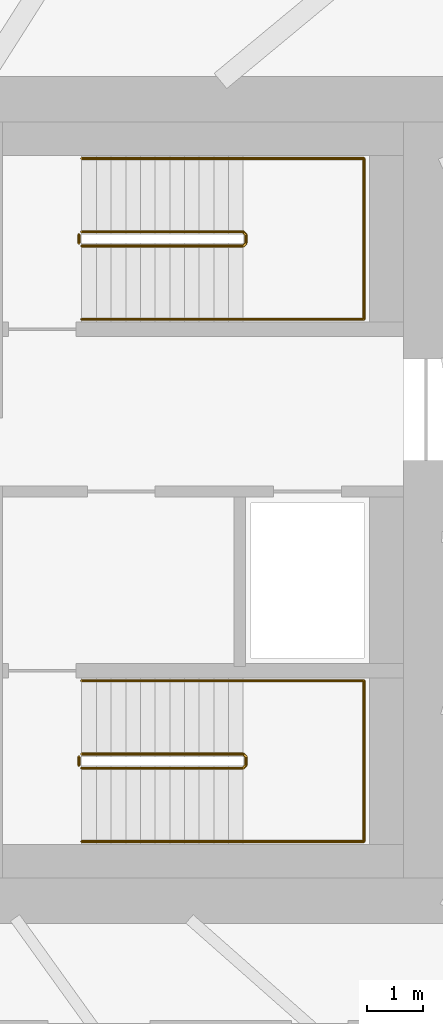
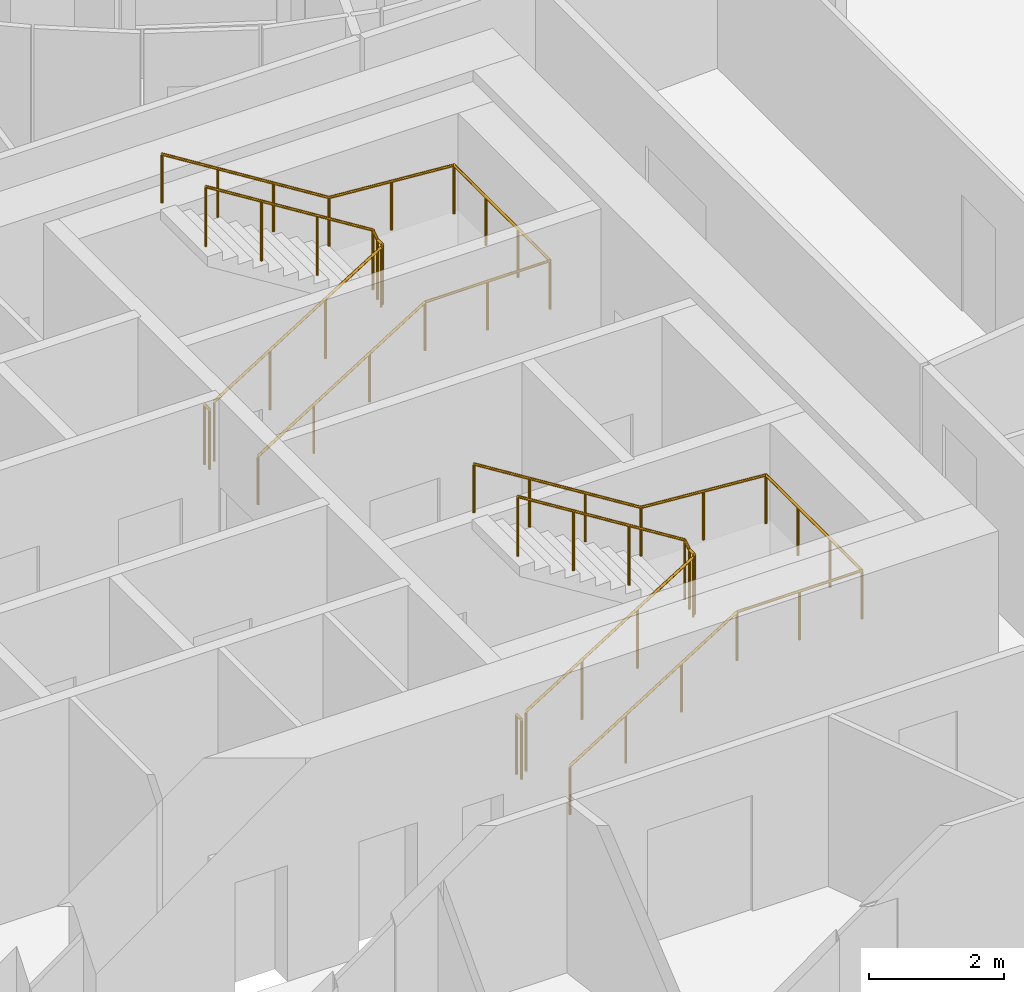
# One storey, part 13 of 13: 6 railings.
"""IFC4 building model written with IfcOpenShell, lengths in metres."""

from ifc_helpers import new_model, si_unit, direction, frame, origin, origin_2d, place, context, subcontext, project, spatial, circle, extrude, material, type_object, element, save


model = new_model("IFC4")

# Units and contexts
model_context = context("Model", 3, precision=1e-05, world=origin(), true_north=direction((0.0, 1.0)))
body_context = subcontext(model_context, "Body", "Model", "MODEL_VIEW")
ifc_project = project(units=[si_unit("LENGTHUNIT", "METRE"), si_unit("AREAUNIT", "SQUARE_METRE"), si_unit("VOLUMEUNIT", "CUBIC_METRE"), si_unit("PLANEANGLEUNIT", "RADIAN"), si_unit("MASSUNIT", "GRAM", prefix="KILO")], contexts=[model_context])

# Site, building, storey
site_placement = place(None, origin())
site = spatial("IfcSite", under=ifc_project, at=site_placement, CompositionType="ELEMENT")
building_placement = place(site_placement, origin())
building = spatial("IfcBuilding", under=site, at=building_placement, Name="Rubra Terraces Tower", CompositionType="ELEMENT")
storey_placement = place(building_placement, frame((0.0, 0.0, 252.60009765625)))
storey = spatial("IfcBuildingStorey", under=building, at=storey_placement, Name="L62", CompositionType="ELEMENT", Elevation=252.60009765625)

# Railings
ifc_material = material(Name="Stainless steel", Category="steel")
railing_type_1 = type_object("IfcRailingType", Name="Core stair guard 1100", PredefinedType="GUARDRAIL", material=ifc_material)
railing_1_placement = place(storey_placement, frame((6.5, 9.0, 0.162353515625)))
element("IfcRailing", 1, at=railing_1_placement, inside=storey, type_object=railing_type_1, Name="L62 stair S3 guard 1", PredefinedType="GUARDRAIL", context=body_context, shape_type="SweptSolid", body=[
    extrude(circle(Radius=0.02392578125, at=origin_2d()), frame((0.0, 0.0, 1.076171875), z_axis=(0.847994237388, 0.0, 0.530005446535), x_axis=(0.0, 1.0, 0.0)), (0.0, 0.0, 1.0), 3.372802734375),
    extrude(circle(Radius=0.02392578125, at=origin_2d()), frame((2.860107421875, 0.0, 2.86376953125), z_axis=(0.705375805398, 0.708833529934, 0.0), x_axis=(-0.708833529934, 0.705375805398, 0.0)), (0.0, 0.0, 1.0), 0.070556640625),
    extrude(circle(Radius=0.02392578125, at=origin_2d()), frame((2.909912109375, 0.050048828125, 2.86376953125), z_axis=(0.0, 1.0, 0.0), x_axis=(-1.0, 0.0, 0.0)), (0.0, 0.0, 1.0), 0.14990234375),
    extrude(circle(Radius=0.02392578125, at=origin_2d()), frame((2.909912109375, 0.199951171875, 2.86376953125), z_axis=(-0.281314826061, 0.282693820306, 0.917031173188), x_axis=(-0.708833529934, -0.705375805398, 0.0)), (0.0, 0.0, 1.0), 0.177001953125),
    extrude(circle(Radius=0.02392578125, at=origin_2d()), frame((2.860107421875, 0.25, 3.02587890625), z_axis=(-0.847994237388, 0.0, 0.530005446535), x_axis=(0.0, -1.0, 0.0)), (0.0, 0.0, 1.0), 3.372802734375),
    extrude(circle(Radius=0.02099609375, at=origin_2d()), origin(), (0.0, 0.0, 1.0), 1.052001953125),
    extrude(circle(Radius=0.02099609375, at=origin_2d()), frame((0.953369140625, 0.0, 0.595947265625)), (0.0, 0.0, 1.0), 1.052001953125),
    extrude(circle(Radius=0.02099609375, at=origin_2d()), frame((1.90673828125, 0.0, 1.191650390625)), (0.0, 0.0, 1.0), 1.052001953125),
    extrude(circle(Radius=0.02099609375, at=origin_2d()), frame((2.860107421875, 0.0, 1.78759765625)), (0.0, 0.0, 1.0), 1.052001953125),
    extrude(circle(Radius=0.02099609375, at=origin_2d()), frame((2.909912109375, 0.050048828125, 1.78759765625)), (0.0, 0.0, 1.0), 1.052001953125),
    extrude(circle(Radius=0.02099609375, at=origin_2d()), frame((2.909912109375, 0.199951171875, 1.78759765625)), (0.0, 0.0, 1.0), 1.052001953125),
    extrude(circle(Radius=0.02099609375, at=origin_2d()), frame((2.860107421875, 0.25, 1.949951171875)), (0.0, 0.0, 1.0), 1.052001953125),
    extrude(circle(Radius=0.02099609375, at=origin_2d()), frame((1.90673828125, 0.25, 2.5458984375)), (0.0, 0.0, 1.0), 1.052001953125),
    extrude(circle(Radius=0.02099609375, at=origin_2d()), frame((0.953369140625, 0.25, 3.1416015625)), (0.0, 0.0, 1.0), 1.052001953125),
    extrude(circle(Radius=0.02099609375, at=origin_2d()), frame((0.0, 0.25, 3.737548828125)), (0.0, 0.0, 1.0), 1.052001953125),
])
railing_2_placement = place(storey_placement, frame((6.449951171875, 9.050048828125, 0.0)))
element("IfcRailing", 2, at=railing_2_placement, inside=storey, type_object=railing_type_1, Name="L62 stair S3 guard 2", PredefinedType="GUARDRAIL", context=body_context, shape_type="SweptSolid", body=[
    extrude(circle(Radius=0.02392578125, at=origin_2d()), frame((0.0, 0.0, 1.076171875), z_axis=(0.0, 1.0, 0.0), x_axis=(-1.0, 0.0, 0.0)), (0.0, 0.0, 1.0), 0.14990234375),
    extrude(circle(Radius=0.02099609375, at=origin_2d()), origin(), (0.0, 0.0, 1.0), 1.052001953125),
    extrude(circle(Radius=0.02099609375, at=origin_2d()), frame((0.0, 0.14990234375, 0.0)), (0.0, 0.0, 1.0), 1.052001953125),
])
railing_3_placement = place(storey_placement, frame((6.5, -0.25, 0.162353515625)))
element("IfcRailing", 3, at=railing_3_placement, inside=storey, type_object=railing_type_1, Name="L62 stair S4 guard 1", PredefinedType="GUARDRAIL", context=body_context, shape_type="SweptSolid", body=[
    extrude(circle(Radius=0.02392578125, at=origin_2d()), frame((0.0, 0.0, 1.076171875), z_axis=(0.847994237388, 0.0, 0.530005446535), x_axis=(0.0, 1.0, 0.0)), (0.0, 0.0, 1.0), 3.372802734375),
    extrude(circle(Radius=0.02392578125, at=origin_2d()), frame((2.860107421875, 0.0, 2.86376953125), z_axis=(0.705375805398, 0.708833529934, 0.0), x_axis=(-0.708833529934, 0.705375805398, 0.0)), (0.0, 0.0, 1.0), 0.070556640625),
    extrude(circle(Radius=0.02392578125, at=origin_2d()), frame((2.909912109375, 0.050048828125, 2.86376953125), z_axis=(0.0, 1.0, 0.0), x_axis=(-1.0, 0.0, 0.0)), (0.0, 0.0, 1.0), 0.14990234375),
    extrude(circle(Radius=0.02392578125, at=origin_2d()), frame((2.909912109375, 0.199951171875, 2.86376953125), z_axis=(-0.281314826061, 0.282693820306, 0.917031173188), x_axis=(-0.708833529934, -0.705375805398, 0.0)), (0.0, 0.0, 1.0), 0.177001953125),
    extrude(circle(Radius=0.02392578125, at=origin_2d()), frame((2.860107421875, 0.25, 3.02587890625), z_axis=(-0.847994237388, 0.0, 0.530005446535), x_axis=(0.0, -1.0, 0.0)), (0.0, 0.0, 1.0), 3.372802734375),
    extrude(circle(Radius=0.02099609375, at=origin_2d()), origin(), (0.0, 0.0, 1.0), 1.052001953125),
    extrude(circle(Radius=0.02099609375, at=origin_2d()), frame((0.953369140625, 0.0, 0.595947265625)), (0.0, 0.0, 1.0), 1.052001953125),
    extrude(circle(Radius=0.02099609375, at=origin_2d()), frame((1.90673828125, 0.0, 1.191650390625)), (0.0, 0.0, 1.0), 1.052001953125),
    extrude(circle(Radius=0.02099609375, at=origin_2d()), frame((2.860107421875, 0.0, 1.78759765625)), (0.0, 0.0, 1.0), 1.052001953125),
    extrude(circle(Radius=0.02099609375, at=origin_2d()), frame((2.909912109375, 0.050048828125, 1.78759765625)), (0.0, 0.0, 1.0), 1.052001953125),
    extrude(circle(Radius=0.02099609375, at=origin_2d()), frame((2.909912109375, 0.199951171875, 1.78759765625)), (0.0, 0.0, 1.0), 1.052001953125),
    extrude(circle(Radius=0.02099609375, at=origin_2d()), frame((2.860107421875, 0.25, 1.949951171875)), (0.0, 0.0, 1.0), 1.052001953125),
    extrude(circle(Radius=0.02099609375, at=origin_2d()), frame((1.90673828125, 0.25, 2.5458984375)), (0.0, 0.0, 1.0), 1.052001953125),
    extrude(circle(Radius=0.02099609375, at=origin_2d()), frame((0.953369140625, 0.25, 3.1416015625)), (0.0, 0.0, 1.0), 1.052001953125),
    extrude(circle(Radius=0.02099609375, at=origin_2d()), frame((0.0, 0.25, 3.737548828125)), (0.0, 0.0, 1.0), 1.052001953125),
])
railing_4_placement = place(storey_placement, frame((6.449951171875, -0.199951171875, 0.0)))
element("IfcRailing", 4, at=railing_4_placement, inside=storey, type_object=railing_type_1, Name="L62 stair S4 guard 2", PredefinedType="GUARDRAIL", context=body_context, shape_type="SweptSolid", body=[
    extrude(circle(Radius=0.02392578125, at=origin_2d()), frame((0.0, 0.0, 1.076171875), z_axis=(0.0, 1.0, 0.0), x_axis=(-1.0, 0.0, 0.0)), (0.0, 0.0, 1.0), 0.14990234375),
    extrude(circle(Radius=0.02099609375, at=origin_2d()), origin(), (0.0, 0.0, 1.0), 1.052001953125),
    extrude(circle(Radius=0.02099609375, at=origin_2d()), frame((0.0, 0.14990234375, 0.0)), (0.0, 0.0, 1.0), 1.052001953125),
])
railing_type_2 = type_object("IfcRailingType", Name="Core stair handrail 900", PredefinedType="HANDRAIL", material=ifc_material)
railing_5_placement = place(storey_placement, frame((6.5, 7.699951171875, 0.162353515625)))
element("IfcRailing", 5, at=railing_5_placement, inside=storey, type_object=railing_type_2, Name="L62 stair S3 handrail 1", PredefinedType="HANDRAIL", context=body_context, shape_type="SweptSolid", body=[
    extrude(circle(Radius=0.02392578125, at=origin_2d()), frame((0.0, 0.0, 0.8759765625), z_axis=(0.847994237388, 0.0, 0.530005446535), x_axis=(0.0, 1.0, 0.0)), (0.0, 0.0, 1.0), 3.372802734375),
    extrude(circle(Radius=0.02392578125, at=origin_2d()), frame((2.860107421875, 0.0, 2.66357421875), z_axis=(1.0, 0.0, 0.0), x_axis=(0.0, 1.0, 0.0)), (0.0, 0.0, 1.0), 2.139892578125),
    extrude(circle(Radius=0.02392578125, at=origin_2d()), frame((5.0, 0.0, 2.66357421875), z_axis=(0.0, 1.0, 0.0), x_axis=(-1.0, 0.0, 0.0)), (0.0, 0.0, 1.0), 2.85009765625),
    extrude(circle(Radius=0.02392578125, at=origin_2d()), frame((5.0, 2.85009765625, 2.66357421875), z_axis=(-0.9971342424, 0.0, 0.075652512401), x_axis=(0.0, -1.0, 0.0)), (0.0, 0.0, 1.0), 2.14599609375),
    extrude(circle(Radius=0.02392578125, at=origin_2d()), frame((2.860107421875, 2.85009765625, 2.82568359375), z_axis=(-0.847994237388, 0.0, 0.530005446535), x_axis=(0.0, -1.0, 0.0)), (0.0, 0.0, 1.0), 3.372802734375),
    extrude(circle(Radius=0.02099609375, at=origin_2d()), origin(), (0.0, 0.0, 1.0), 0.851806640625),
    extrude(circle(Radius=0.02099609375, at=origin_2d()), frame((0.953369140625, 0.0, 0.595947265625)), (0.0, 0.0, 1.0), 0.851806640625),
    extrude(circle(Radius=0.02099609375, at=origin_2d()), frame((1.90673828125, 0.0, 1.191650390625)), (0.0, 0.0, 1.0), 0.851806640625),
    extrude(circle(Radius=0.02099609375, at=origin_2d()), frame((2.860107421875, 0.0, 1.78759765625)), (0.0, 0.0, 1.0), 0.851806640625),
    extrude(circle(Radius=0.02099609375, at=origin_2d()), frame((3.93017578125, 0.0, 1.78759765625)), (0.0, 0.0, 1.0), 0.851806640625),
    extrude(circle(Radius=0.02099609375, at=origin_2d()), frame((5.0, 0.0, 1.78759765625)), (0.0, 0.0, 1.0), 0.851806640625),
    extrude(circle(Radius=0.02099609375, at=origin_2d()), frame((5.0, 0.949951171875, 1.78759765625)), (0.0, 0.0, 1.0), 0.851806640625),
    extrude(circle(Radius=0.02099609375, at=origin_2d()), frame((5.0, 1.900146484375, 1.78759765625)), (0.0, 0.0, 1.0), 0.851806640625),
    extrude(circle(Radius=0.02099609375, at=origin_2d()), frame((5.0, 2.85009765625, 1.78759765625)), (0.0, 0.0, 1.0), 0.851806640625),
    extrude(circle(Radius=0.02099609375, at=origin_2d()), frame((3.93017578125, 2.85009765625, 1.86865234375)), (0.0, 0.0, 1.0), 0.851806640625),
    extrude(circle(Radius=0.02099609375, at=origin_2d()), frame((2.860107421875, 2.85009765625, 1.949951171875)), (0.0, 0.0, 1.0), 0.851806640625),
    extrude(circle(Radius=0.02099609375, at=origin_2d()), frame((1.90673828125, 2.85009765625, 2.5458984375)), (0.0, 0.0, 1.0), 0.851806640625),
    extrude(circle(Radius=0.02099609375, at=origin_2d()), frame((0.953369140625, 2.85009765625, 3.1416015625)), (0.0, 0.0, 1.0), 0.851806640625),
    extrude(circle(Radius=0.02099609375, at=origin_2d()), frame((0.0, 2.85009765625, 3.737548828125)), (0.0, 0.0, 1.0), 0.851806640625),
])
railing_6_placement = place(storey_placement, frame((6.5, -1.550048828125, 0.162353515625)))
element("IfcRailing", 6, at=railing_6_placement, inside=storey, type_object=railing_type_2, Name="L62 stair S4 handrail 1", PredefinedType="HANDRAIL", context=body_context, shape_type="SweptSolid", body=[
    extrude(circle(Radius=0.02392578125, at=origin_2d()), frame((0.0, 0.0, 0.8759765625), z_axis=(0.847994237388, 0.0, 0.530005446535), x_axis=(0.0, 1.0, 0.0)), (0.0, 0.0, 1.0), 3.372802734375),
    extrude(circle(Radius=0.02392578125, at=origin_2d()), frame((2.860107421875, 0.0, 2.66357421875), z_axis=(1.0, 0.0, 0.0), x_axis=(0.0, 1.0, 0.0)), (0.0, 0.0, 1.0), 2.139892578125),
    extrude(circle(Radius=0.02392578125, at=origin_2d()), frame((5.0, 0.0, 2.66357421875), z_axis=(0.0, 1.0, 0.0), x_axis=(-1.0, 0.0, 0.0)), (0.0, 0.0, 1.0), 2.85009765625),
    extrude(circle(Radius=0.02392578125, at=origin_2d()), frame((5.0, 2.85009765625, 2.66357421875), z_axis=(-0.9971342424, 0.0, 0.075652512401), x_axis=(0.0, -1.0, 0.0)), (0.0, 0.0, 1.0), 2.14599609375),
    extrude(circle(Radius=0.02392578125, at=origin_2d()), frame((2.860107421875, 2.85009765625, 2.82568359375), z_axis=(-0.847994237388, 0.0, 0.530005446535), x_axis=(0.0, -1.0, 0.0)), (0.0, 0.0, 1.0), 3.372802734375),
    extrude(circle(Radius=0.02099609375, at=origin_2d()), origin(), (0.0, 0.0, 1.0), 0.851806640625),
    extrude(circle(Radius=0.02099609375, at=origin_2d()), frame((0.953369140625, 0.0, 0.595947265625)), (0.0, 0.0, 1.0), 0.851806640625),
    extrude(circle(Radius=0.02099609375, at=origin_2d()), frame((1.90673828125, 0.0, 1.191650390625)), (0.0, 0.0, 1.0), 0.851806640625),
    extrude(circle(Radius=0.02099609375, at=origin_2d()), frame((2.860107421875, 0.0, 1.78759765625)), (0.0, 0.0, 1.0), 0.851806640625),
    extrude(circle(Radius=0.02099609375, at=origin_2d()), frame((3.93017578125, 0.0, 1.78759765625)), (0.0, 0.0, 1.0), 0.851806640625),
    extrude(circle(Radius=0.02099609375, at=origin_2d()), frame((5.0, 0.0, 1.78759765625)), (0.0, 0.0, 1.0), 0.851806640625),
    extrude(circle(Radius=0.02099609375, at=origin_2d()), frame((5.0, 0.949951171875, 1.78759765625)), (0.0, 0.0, 1.0), 0.851806640625),
    extrude(circle(Radius=0.02099609375, at=origin_2d()), frame((5.0, 1.900146484375, 1.78759765625)), (0.0, 0.0, 1.0), 0.851806640625),
    extrude(circle(Radius=0.02099609375, at=origin_2d()), frame((5.0, 2.85009765625, 1.78759765625)), (0.0, 0.0, 1.0), 0.851806640625),
    extrude(circle(Radius=0.02099609375, at=origin_2d()), frame((3.93017578125, 2.85009765625, 1.86865234375)), (0.0, 0.0, 1.0), 0.851806640625),
    extrude(circle(Radius=0.02099609375, at=origin_2d()), frame((2.860107421875, 2.85009765625, 1.949951171875)), (0.0, 0.0, 1.0), 0.851806640625),
    extrude(circle(Radius=0.02099609375, at=origin_2d()), frame((1.90673828125, 2.85009765625, 2.5458984375)), (0.0, 0.0, 1.0), 0.851806640625),
    extrude(circle(Radius=0.02099609375, at=origin_2d()), frame((0.953369140625, 2.85009765625, 3.1416015625)), (0.0, 0.0, 1.0), 0.851806640625),
    extrude(circle(Radius=0.02099609375, at=origin_2d()), frame((0.0, 2.85009765625, 3.737548828125)), (0.0, 0.0, 1.0), 0.851806640625),
])

save(model, "model.ifc")
